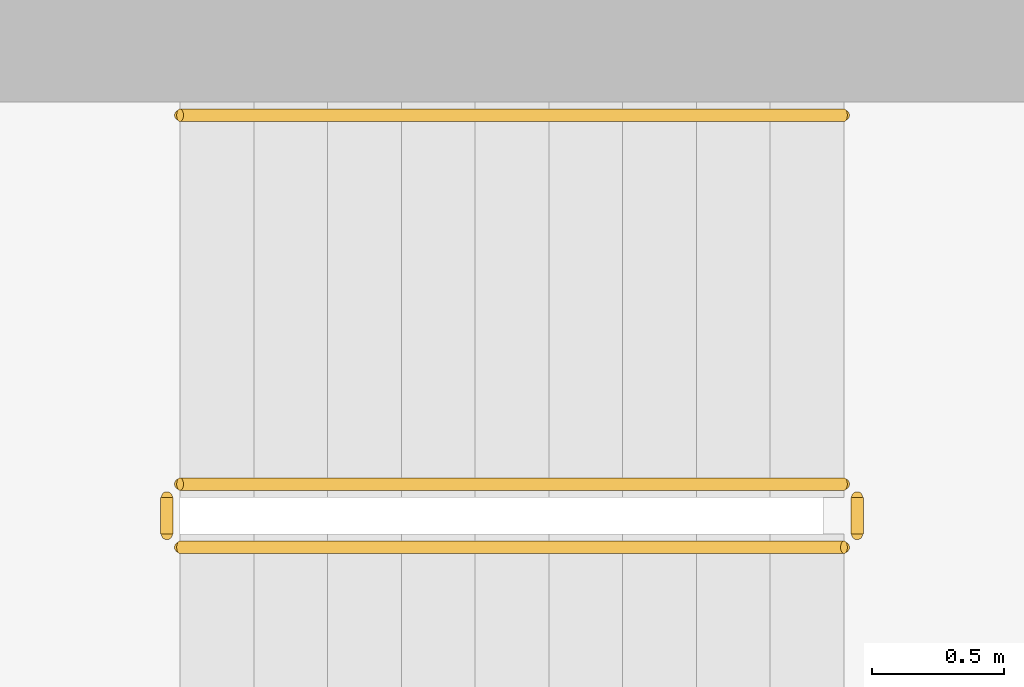
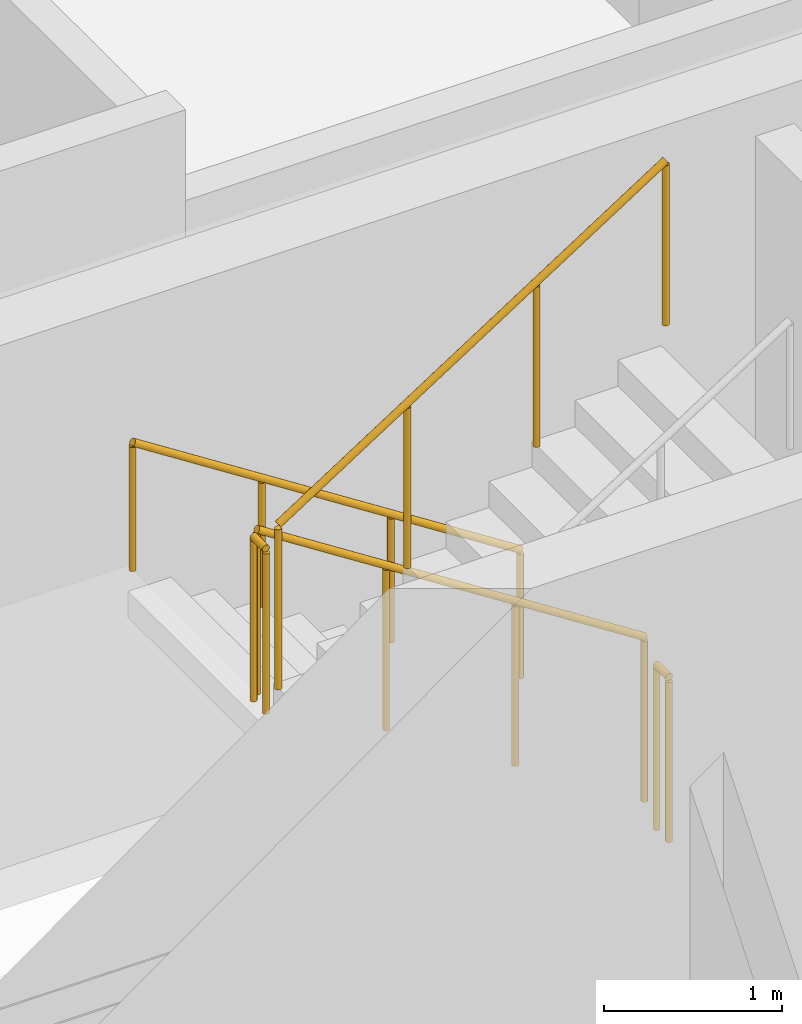
# One storey, part 13 of 14: 5 railings.
"""IFC4 building model written with IfcOpenShell, lengths in metres."""

from ifc_helpers import new_model, si_unit, derived_unit, direction, frame, origin, origin_2d, place, context, subcontext, project, spatial, circle, extrude, material, type_object, element, save


model = new_model("IFC4")

# Units and contexts
model_context = context("Model", 3, precision=1e-05, world=origin(), true_north=direction((0.0, 1.0)))
body_context = subcontext(model_context, "Body", "Model", "MODEL_VIEW")
ifc_project = project(units=[si_unit("LENGTHUNIT", "METRE"), si_unit("AREAUNIT", "SQUARE_METRE"), si_unit("VOLUMEUNIT", "CUBIC_METRE"), si_unit("PLANEANGLEUNIT", "RADIAN"), si_unit("MASSUNIT", "GRAM", prefix="KILO"), derived_unit("THERMALTRANSMITTANCEUNIT", [(si_unit("POWERUNIT", "WATT"), 1), (si_unit("LENGTHUNIT", "METRE"), -2), (si_unit("THERMODYNAMICTEMPERATUREUNIT", "KELVIN"), -1)])], contexts=[model_context])

# Site, building, storey
site_placement = place(None, origin())
site = spatial("IfcSite", under=ifc_project, at=site_placement, CompositionType="ELEMENT")
building_placement = place(site_placement, origin())
building = spatial("IfcBuilding", under=site, at=building_placement, Name="Kivonza Crest Hotel", CompositionType="ELEMENT")
storey_placement = place(building_placement, frame((0.0, 0.0, 224.300048828125)))
storey = spatial("IfcBuildingStorey", under=building, at=storey_placement, Name="L61", CompositionType="ELEMENT", Elevation=224.300048828125)

# Railings
ifc_material_1 = material(Name="Brushed stainless steel handrail", Category="steel")
railing_type_1 = type_object("IfcRailingType", Name="RL-HAND-900", PredefinedType="HANDRAIL", material=ifc_material_1)
railing_1_placement = place(storey_placement, frame((12.239990234375, 36.110107421875, 0.179931640625)))
element("IfcRailing", 1, at=railing_1_placement, inside=storey, type_object=railing_type_1, Name="L61 ST-T1-N stair handrail 1", PredefinedType="HANDRAIL", context=body_context, shape_type="SweptSolid", body=[
    extrude(circle(Radius=0.02392578125, at=origin_2d()), frame((0.0, 0.0, 0.8759765625), z_axis=(-0.841162588446, 0.0, 0.540782303519), x_axis=(0.0, -1.0, 0.0)), (0.0, 0.0, 1.0), 2.995849609375),
    extrude(circle(Radius=0.02099609375, at=origin_2d()), origin(), (0.0, 0.0, 1.0), 0.851806640625),
    extrude(circle(Radius=0.02099609375, at=origin_2d()), frame((-0.840087890625, 0.0, 0.5400390625)), (0.0, 0.0, 1.0), 0.851806640625),
    extrude(circle(Radius=0.02099609375, at=origin_2d()), frame((-1.679931640625, 0.0, 1.080078125)), (0.0, 0.0, 1.0), 0.851806640625),
    extrude(circle(Radius=0.02099609375, at=origin_2d()), frame((-2.52001953125, 0.0, 1.6201171875)), (0.0, 0.0, 1.0), 0.851806640625),
])
ifc_material_2 = material(Name="Painted steel balustrade", Category="steel")
railing_type_2 = type_object("IfcRailingType", Name="RL-STAIR-1150", PredefinedType="BALUSTRADE", material=ifc_material_2)
railing_2_placement = place(storey_placement, frame((12.239990234375, 34.7099609375, 0.179931640625)))
element("IfcRailing", 2, at=railing_2_placement, inside=storey, type_object=railing_type_2, Name="L61 ST-T1-N stair guard 1", PredefinedType="BALUSTRADE", context=body_context, shape_type="SweptSolid", body=[
    extrude(circle(Radius=0.02392578125, at=origin_2d()), frame((0.0, 0.0, 1.1259765625), z_axis=(-0.841162588446, 0.0, 0.540782303519), x_axis=(0.0, -1.0, 0.0)), (0.0, 0.0, 1.0), 2.995849609375),
    extrude(circle(Radius=0.02099609375, at=origin_2d()), origin(), (0.0, 0.0, 1.0), 1.101806640625),
    extrude(circle(Radius=0.02099609375, at=origin_2d()), frame((-0.840087890625, 0.0, 0.5400390625)), (0.0, 0.0, 1.0), 1.101806640625),
    extrude(circle(Radius=0.02099609375, at=origin_2d()), frame((-1.679931640625, 0.0, 1.080078125)), (0.0, 0.0, 1.0), 1.101806640625),
    extrude(circle(Radius=0.02099609375, at=origin_2d()), frame((-2.52001953125, 0.0, 1.6201171875)), (0.0, 0.0, 1.0), 1.101806640625),
])
railing_3_placement = place(storey_placement, frame((9.669921875, 34.659912109375, 1.800048828125)))
element("IfcRailing", 3, at=railing_3_placement, inside=storey, type_object=railing_type_2, Name="L61 ST-T1-N stair guard 2", PredefinedType="BALUSTRADE", context=body_context, shape_type="SweptSolid", body=[
    extrude(circle(Radius=0.02392578125, at=origin_2d()), frame((0.0, 0.0, 1.1259765625), z_axis=(0.0, -1.0, 0.0), x_axis=(1.0, 0.0, 0.0)), (0.0, 0.0, 1.0), 0.139892578125),
    extrude(circle(Radius=0.02099609375, at=origin_2d()), origin(), (0.0, 0.0, 1.0), 1.101806640625),
    extrude(circle(Radius=0.02099609375, at=origin_2d()), frame((0.0, -0.139892578125, 0.0)), (0.0, 0.0, 1.0), 1.101806640625),
])
railing_4_placement = place(storey_placement, frame((9.719970703125, 34.469970703125, 1.97998046875)))
element("IfcRailing", 4, at=railing_4_placement, inside=storey, type_object=railing_type_2, Name="L61 ST-T1-N stair guard 3", PredefinedType="BALUSTRADE", context=body_context, shape_type="SweptSolid", body=[
    extrude(circle(Radius=0.02392578125, at=origin_2d()), frame((0.0, 0.0, 1.1259765625), z_axis=(0.841199657755, 0.0, 0.540724639528), x_axis=(0.0, 1.0, 0.0)), (0.0, 0.0, 1.0), 2.995849609375),
    extrude(circle(Radius=0.02099609375, at=origin_2d()), origin(), (0.0, 0.0, 1.0), 1.101806640625),
    extrude(circle(Radius=0.02099609375, at=origin_2d()), frame((0.840087890625, 0.0, 0.5400390625)), (0.0, 0.0, 1.0), 1.101806640625),
    extrude(circle(Radius=0.02099609375, at=origin_2d()), frame((1.679931640625, 0.0, 1.079833984375)), (0.0, 0.0, 1.0), 1.101806640625),
    extrude(circle(Radius=0.02099609375, at=origin_2d()), frame((2.52001953125, 0.0, 1.619873046875)), (0.0, 0.0, 1.0), 1.101806640625),
])
railing_5_placement = place(storey_placement, frame((12.2900390625, 34.659912109375, 0.0)))
element("IfcRailing", 5, at=railing_5_placement, inside=storey, type_object=railing_type_2, Name="L61 ST-T1-N stair guard 4", PredefinedType="BALUSTRADE", context=body_context, shape_type="SweptSolid", body=[
    extrude(circle(Radius=0.02392578125, at=origin_2d()), frame((0.0, 0.0, 1.1259765625), z_axis=(0.0, -1.0, 0.0), x_axis=(1.0, 0.0, 0.0)), (0.0, 0.0, 1.0), 0.139892578125),
    extrude(circle(Radius=0.02099609375, at=origin_2d()), origin(), (0.0, 0.0, 1.0), 1.101806640625),
    extrude(circle(Radius=0.02099609375, at=origin_2d()), frame((0.0, -0.139892578125, 0.0)), (0.0, 0.0, 1.0), 1.101806640625),
])

save(model, "model.ifc")
